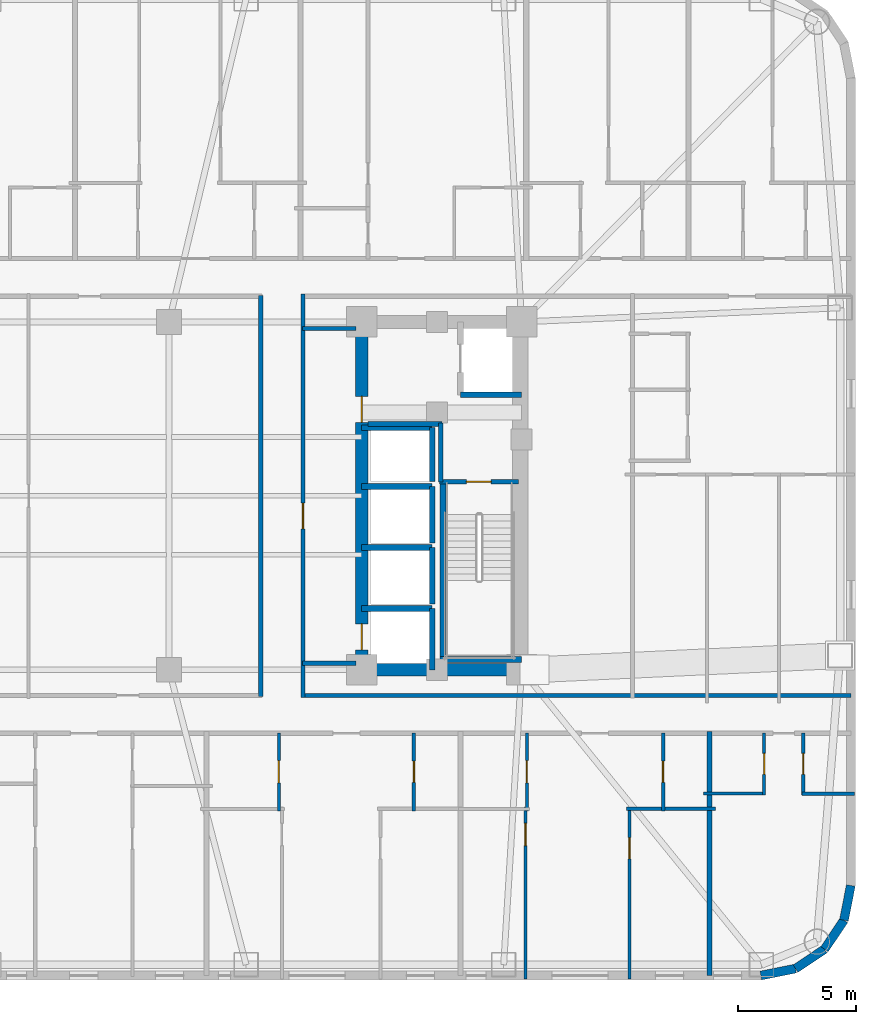
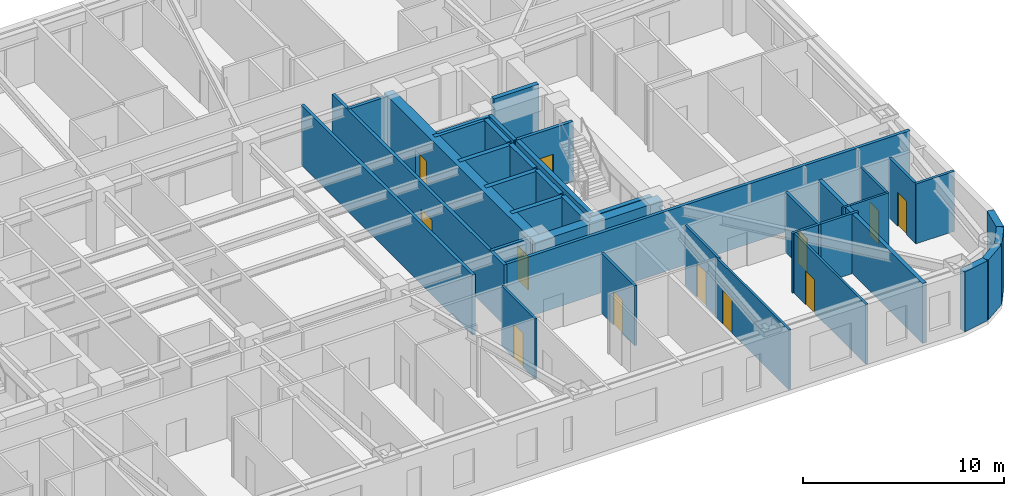
# One storey, part 6 of 11: 37 walls, 12 doors, 12 openings.
"""IFC4 building model written with IfcOpenShell, lengths in metres."""

from ifc_helpers import new_model, si_unit, direction, frame, frame_2d, origin, place, context, subcontext, project, spatial, rectangle, extrude, material, layer, layer_set, type_object, element, fill, save


model = new_model("IFC4")

# Units and contexts
model_context = context("Model", 3, precision=1e-05, world=origin(), true_north=direction((0.0, 1.0)))
body_context = subcontext(model_context, "Body", "Model", "MODEL_VIEW")
ifc_project = project(units=[si_unit("LENGTHUNIT", "METRE"), si_unit("AREAUNIT", "SQUARE_METRE"), si_unit("VOLUMEUNIT", "CUBIC_METRE"), si_unit("PLANEANGLEUNIT", "RADIAN"), si_unit("MASSUNIT", "GRAM", prefix="KILO")], contexts=[model_context])

# Site, building, storey
site_placement = place(None, origin())
site = spatial("IfcSite", under=ifc_project, at=site_placement, CompositionType="ELEMENT")
building_placement = place(site_placement, origin())
building = spatial("IfcBuilding", under=site, at=building_placement, Name="Voryun Gate Residences", CompositionType="ELEMENT")
storey_placement = place(building_placement, frame((0.0, 0.0, 105.300048828125)))
storey = spatial("IfcBuildingStorey", under=building, at=storey_placement, Name="L25", CompositionType="ELEMENT", Elevation=105.300048828125)

# Wall
ifc_material_1 = material(Name="Concrete C60/75", Category="concrete")
ifc_layer_1 = layer(ifc_material_1, 0.550048828125, Name="CW_CORE_550")
ifc_layer_set_1 = layer_set([ifc_layer_1], Name="Concrete C60/75")
wall_type_1 = type_object("IfcWallType", Name="CW_CORE_550", PredefinedType="SHEAR", material=ifc_layer_set_1)
wall_1_placement = place(storey_placement, frame((12.125, -7.39990234375, 0.0), z_axis=(0.0, 0.0, 1.0), x_axis=(1.0, 0.0, 0.0)))
element("IfcWall", 1, at=wall_1_placement, inside=storey, type_object=wall_type_1, Name="L25 Core shear wall CW-L25-ES", PredefinedType="SHEAR", context=body_context, shape_type="SweptSolid", body=[
    extrude(rectangle(XDim=7.35009765625, YDim=0.550048828125, at=frame_2d((3.675048828125, 0.0))), origin(), (0.0, 0.0, 1.0), 3.64990234375),
])

# Wall, openings, doors
wall_2_placement = place(storey_placement, frame((12.39990234375, -7.39990234375, 0.0), z_axis=(0.0, 0.0, 1.0), x_axis=(0.0, 1.0, 0.0)))
wall_2 = element("IfcWall", 2, at=wall_2_placement, inside=storey, type_object=wall_type_1, Name="L25 Core shear wall CW-L25-EW", PredefinedType="SHEAR", context=body_context, shape_type="SweptSolid", body=[
    extrude(rectangle(XDim=14.7998046875, YDim=0.550048828125, at=frame_2d((7.39990234375, 0.0))), origin(), (0.0, 0.0, 1.0), 3.64990234375),
])
opening_1_placement = place(wall_2_placement, frame((0.85009765625, 0.0, 0.0)))
opening_1 = element("IfcOpeningElement", 3, at=opening_1_placement, cuts=wall_2, Name="Opening LD2", PredefinedType="OPENING", context=body_context, shape_type="SweptSolid", body=[
    extrude(rectangle(XDim=1.10009765625, YDim=2.050048828125, at=frame_2d((0.550048828125, 1.02490234375))), frame((0.0, 0.284912109375, 0.0), z_axis=(0.0, -1.0, 0.0), x_axis=(1.0, 0.0, 0.0)), (0.0, 0.0, 1.0), 0.570068359375),
])
opening_2_placement = place(wall_2_placement, frame((10.530029296875, 0.0, 0.0)))
opening_2 = element("IfcOpeningElement", 4, at=opening_2_placement, cuts=wall_2, Name="Opening D-FD60-2", PredefinedType="OPENING", context=body_context, shape_type="SweptSolid", body=[
    extrude(rectangle(XDim=1.10009765625, YDim=2.050048828125, at=frame_2d((0.550048828125, 1.02490234375))), frame((0.0, 0.284912109375, 0.0), z_axis=(0.0, -1.0, 0.0), x_axis=(1.0, 0.0, 0.0)), (0.0, 0.0, 1.0), 0.570068359375),
])
ifc_material_2 = material(Name="Painted steel fire door", Category="steel")
door_type_1 = type_object("IfcDoorType", Name="DR_FD60_FFLOB_1100", OperationType="NOTDEFINED", PredefinedType="DOOR", material=ifc_material_2)
door_1_placement = place(opening_2_placement, origin())
door_1 = element("IfcDoor", 5, at=door_1_placement, inside=storey, type_object=door_type_1, Name="Door DR-L25-CLOB-E", OperationType="SINGLE_SWING_RIGHT", OverallHeight=2.050048828125, OverallWidth=1.10009765625, PredefinedType="DOOR", context=body_context, shape_type="SweptSolid", body=[
    extrude(rectangle(XDim=1.10009765625, YDim=2.050048828125, at=frame_2d((0.550048828125, 1.02490234375))), frame((0.0, 0.02490234375, 0.0), z_axis=(0.0, -1.0, 0.0), x_axis=(1.0, 0.0, 0.0)), (0.0, 0.0, 1.0), 0.050048828125),
])
fill(opening_2, door_1)
ifc_material_3 = material(Name="Anodised aluminium", Category="aluminium")
door_type_2 = type_object("IfcDoorType", Name="DR_LD_PASS_1100", OperationType="NOTDEFINED", PredefinedType="DOOR", material=ifc_material_3)
door_2_placement = place(opening_1_placement, origin())
door_2 = element("IfcDoor", 6, at=door_2_placement, inside=storey, type_object=door_type_2, Name="Lift EL-P3 sliding landing door L25", OperationType="SLIDING_TO_LEFT", OverallHeight=2.050048828125, OverallWidth=1.10009765625, PredefinedType="DOOR", context=body_context, shape_type="SweptSolid", body=[
    extrude(rectangle(XDim=1.10009765625, YDim=2.050048828125, at=frame_2d((0.550048828125, 1.02490234375))), frame((0.0, 0.02490234375, 0.0), z_axis=(0.0, -1.0, 0.0), x_axis=(1.0, 0.0, 0.0)), (0.0, 0.0, 1.0), 0.050048828125),
])
fill(opening_1, door_2)

# Wall, opening, door
ifc_material_4 = material(Name="Gypsum acoustic fireboard")
ifc_layer_2 = layer(ifc_material_4, 0.179931640625, Name="W_CORR_RATED_180")
ifc_layer_set_2 = layer_set([ifc_layer_2], Name="Gypsum acoustic fireboard")
wall_type_2 = type_object("IfcWallType", Name="W_CORR_RATED_180", PredefinedType="PARTITIONING", material=ifc_layer_set_2)
wall_3_placement = place(storey_placement, frame((15.699951171875, 0.60009765625, 0.0), z_axis=(0.0, 0.0, 1.0), x_axis=(1.0, 0.0, 0.0)))
wall_3 = element("IfcWall", 7, at=wall_3_placement, inside=storey, type_object=wall_type_2, Name="Partition wall WP-L25-STV-E", PredefinedType="PARTITIONING", context=body_context, shape_type="SweptSolid", body=[
    extrude(rectangle(XDim=3.360107421875, YDim=0.179931640625, at=frame_2d((1.68017578125, 0.0))), origin(), (0.0, 0.0, 1.0), 3.64990234375),
])
opening_3_placement = place(wall_3_placement, frame((1.155029296875, 0.0, 0.0)))
opening_3 = element("IfcOpeningElement", 8, at=opening_3_placement, cuts=wall_3, Name="Opening D-FD60-1", PredefinedType="OPENING", context=body_context, shape_type="SweptSolid", body=[
    extrude(rectangle(XDim=1.050048828125, YDim=2.050048828125, at=frame_2d((0.52490234375, 1.02490234375))), frame((0.0, 0.099853515625, 0.0), z_axis=(0.0, -1.0, 0.0), x_axis=(1.0, 0.0, 0.0)), (0.0, 0.0, 1.0), 0.199951171875),
])
ifc_material_5 = material(Name="Painted steel fire door", Category="steel")
door_type_3 = type_object("IfcDoorType", Name="DR_FD60_STAIR_1050", OperationType="NOTDEFINED", PredefinedType="DOOR", material=ifc_material_5)
door_3_placement = place(opening_3_placement, origin())
door_3 = element("IfcDoor", 9, at=door_3_placement, inside=storey, type_object=door_type_3, Name="Door DR-L25-ST-E", OperationType="SINGLE_SWING_RIGHT", OverallHeight=2.050048828125, OverallWidth=1.050048828125, PredefinedType="DOOR", context=body_context, shape_type="SweptSolid", body=[
    extrude(rectangle(XDim=1.050048828125, YDim=2.050048828125, at=frame_2d((0.52490234375, 1.02490234375))), frame((0.0, 0.02490234375, 0.0), z_axis=(0.0, -1.0, 0.0), x_axis=(1.0, 0.0, 0.0)), (0.0, 0.0, 1.0), 0.050048828125),
])
fill(opening_3, door_3)

# Walls
for number, where, z_axis, x_axis, name in (
    (10, (9.8798828125, 7.1201171875, 0.0), (0.0, 0.0, 1.0), (1.0, 0.0, 0.0), "Partition wall WP-L25-PLBN-E"),
    (11, (9.8798828125, -7.1201171875, 0.0), (0.0, 0.0, 1.0), (1.0, 0.0, 0.0), "Partition wall WP-L25-PLBS-E"),
):
    element("IfcWall", number, at=place(storey_placement, frame(where, z_axis=z_axis, x_axis=x_axis)), inside=storey, type_object=wall_type_2, Name=name, PredefinedType="PARTITIONING", context=body_context, shape_type="SweptSolid", body=[
        extrude(rectangle(XDim=2.27001953125, YDim=0.179931640625, at=frame_2d((1.135009765625, 0.0))), origin(), (0.0, 0.0, 1.0), 3.64990234375),
    ])

# Wall, opening, door
wall_4_placement = place(storey_placement, frame((9.89990234375, -8.580078125, 0.0), z_axis=(0.0, 0.0, 1.0), x_axis=(0.0, 1.0, 0.0)))
wall_4 = element("IfcWall", 12, at=wall_4_placement, inside=storey, type_object=wall_type_2, Name="Partition wall WP-L25-PLBE-FULL", PredefinedType="PARTITIONING", context=body_context, shape_type="SweptSolid", body=[
    extrude(rectangle(XDim=17.16015625, YDim=0.179931640625, at=frame_2d((8.580078125, 0.0))), origin(), (0.0, 0.0, 1.0), 3.64990234375),
])
opening_4_placement = place(wall_4_placement, frame((7.172119140625, 0.0, 0.0)))
opening_4 = element("IfcOpeningElement", 13, at=opening_4_placement, cuts=wall_4, Name="Opening D-FD60-2", PredefinedType="OPENING", context=body_context, shape_type="SweptSolid", body=[
    extrude(rectangle(XDim=1.10009765625, YDim=2.050048828125, at=frame_2d((0.550048828125, 1.02490234375))), frame((0.0, 0.099853515625, 0.0), z_axis=(0.0, -1.0, 0.0), x_axis=(1.0, 0.0, 0.0)), (0.0, 0.0, 1.0), 0.199951171875),
])
door_4_placement = place(opening_4_placement, origin())
door_4 = element("IfcDoor", 14, at=door_4_placement, inside=storey, type_object=door_type_1, Name="Door DR-L25-PLBE-COR", OperationType="SINGLE_SWING_RIGHT", OverallHeight=2.050048828125, OverallWidth=1.10009765625, PredefinedType="DOOR", context=body_context, shape_type="SweptSolid", body=[
    extrude(rectangle(XDim=1.10009765625, YDim=2.050048828125, at=frame_2d((0.550048828125, 1.02490234375))), frame((0.0, 0.02490234375, 0.0), z_axis=(0.0, -1.0, 0.0), x_axis=(1.0, 0.0, 0.0)), (0.0, 0.0, 1.0), 0.050048828125),
])
fill(opening_4, door_4)

# Walls
wall_5_placement = place(storey_placement, frame((9.8798828125, -8.489990234375, 0.0), z_axis=(0.0, 0.0, 1.0), x_axis=(1.0, 0.0, 0.0)))
element("IfcWall", 15, at=wall_5_placement, inside=storey, type_object=wall_type_2, Name="Partition wall WP-L25-CWING-ES", PredefinedType="PARTITIONING", context=body_context, shape_type="SweptSolid", body=[
    extrude(rectangle(XDim=23.330078125, YDim=0.179931640625, at=frame_2d((11.6650390625, 0.0))), origin(), (0.0, 0.0, 1.0), 3.64990234375),
])
wall_6_placement = place(storey_placement, frame((8.10009765625, -8.530029296875, 0.0), z_axis=(0.0, 0.0, 1.0), x_axis=(0.0, 1.0, 0.0)))
element("IfcWall", 16, at=wall_6_placement, inside=storey, type_object=wall_type_2, Name="Partition wall WP-L25-Z1E", PredefinedType="PARTITIONING", context=body_context, shape_type="SweptSolid", body=[
    extrude(rectangle(XDim=17.06005859375, YDim=0.179931640625, at=frame_2d((8.530029296875, 0.0))), origin(), (0.0, 0.0, 1.0), 3.64990234375),
])
ifc_material_6 = material(Name="Granite masonry", Category="masonry")
ifc_layer_3 = layer(ifc_material_6, 0.3798828125, Name="W_EXT_GRANITE_380")
ifc_layer_set_3 = layer_set([ifc_layer_3], Name="Granite masonry")
wall_type_3 = type_object("IfcWallType", Name="W_EXT_GRANITE_380", PredefinedType="ELEMENTEDWALL", material=ifc_layer_set_3)
wall_7_placement = place(storey_placement, frame((33.2099609375, -16.581298828125, 0.0), z_axis=(0.0, 0.0, 1.0), x_axis=(-0.195086038585, -0.980786132421, 0.0)))
element("IfcWall", 17, at=wall_7_placement, inside=storey, type_object=wall_type_3, Name="Exterior wall WEXT-L25-17", PredefinedType="ELEMENTEDWALL", context=body_context, shape_type="SweptSolid", body=[
    extrude(rectangle(XDim=1.504150390625, YDim=0.3798828125, at=frame_2d((0.751953125, 0.0))), origin(), (0.0, 0.0, 1.0), 3.64990234375),
])
wall_8_placement = place(storey_placement, frame((32.91650390625, -18.056640625, 0.0), z_axis=(0.0, 0.0, 1.0), x_axis=(-0.555610286119, -0.831442848281, 0.0)))
element("IfcWall", 18, at=wall_8_placement, inside=storey, type_object=wall_type_3, Name="Exterior wall WEXT-L25-18", PredefinedType="ELEMENTEDWALL", context=body_context, shape_type="SweptSolid", body=[
    extrude(rectangle(XDim=1.485107421875, YDim=0.3798828125, at=frame_2d((0.74267578125, 0.0))), origin(), (0.0, 0.0, 1.0), 3.64990234375),
])
wall_9_placement = place(storey_placement, frame((32.09130859375, -19.29150390625, 0.0), z_axis=(0.0, 0.0, 1.0), x_axis=(-0.831468045563, -0.555572577804, 0.0)))
element("IfcWall", 19, at=wall_9_placement, inside=storey, type_object=wall_type_3, Name="Exterior wall WEXT-L25-19", PredefinedType="ELEMENTEDWALL", context=body_context, shape_type="SweptSolid", body=[
    extrude(rectangle(XDim=1.48486328125, YDim=0.3798828125, at=frame_2d((0.742431640625, 0.0))), origin(), (0.0, 0.0, 1.0), 3.64990234375),
])
wall_10_placement = place(storey_placement, frame((30.856689453125, -20.116455078125, 0.0), z_axis=(0.0, 0.0, 1.0), x_axis=(-0.980786132421, -0.195086038585, 0.0)))
element("IfcWall", 20, at=wall_10_placement, inside=storey, type_object=wall_type_3, Name="Exterior wall WEXT-L25-20", PredefinedType="ELEMENTEDWALL", context=body_context, shape_type="SweptSolid", body=[
    extrude(rectangle(XDim=1.504150390625, YDim=0.3798828125, at=frame_2d((0.751953125, 0.0))), origin(), (0.0, 0.0, 1.0), 3.64990234375),
])
ifc_material_7 = material(Name="Concrete C40/50", Category="concrete")
ifc_layer_4 = layer(ifc_material_7, 0.199951171875, Name="W_FF_LOBBY_200")
ifc_layer_set_4 = layer_set([ifc_layer_4], Name="Concrete C40/50")
wall_type_4 = type_object("IfcWallType", Name="W_FF_LOBBY_200", PredefinedType="PARTITIONING", material=ifc_layer_set_4)
wall_11_placement = place(storey_placement, frame((15.760009765625, 0.580078125, 0.0), z_axis=(0.0, 0.0, 1.0), x_axis=(0.0, 1.0, 0.0)))
element("IfcWall", 21, at=wall_11_placement, inside=storey, type_object=wall_type_4, Name="Partition wall WP-L25-FFP0-E", PredefinedType="PARTITIONING", context=body_context, shape_type="SweptSolid", body=[
    extrude(rectangle(XDim=2.52001953125, YDim=0.199951171875, at=frame_2d((1.260009765625, 0.0))), origin(), (0.0, 0.0, 1.0), 3.64990234375),
])
wall_12_placement = place(storey_placement, frame((12.659912109375, 3.06005859375, 0.0), z_axis=(0.0, 0.0, 1.0), x_axis=(1.0, 0.0, 0.0)))
element("IfcWall", 22, at=wall_12_placement, inside=storey, type_object=wall_type_4, Name="Partition wall WP-L25-FFPS-E", PredefinedType="PARTITIONING", context=body_context, shape_type="SweptSolid", body=[
    extrude(rectangle(XDim=3.16015625, YDim=0.199951171875, at=frame_2d((1.580078125, 0.0))), origin(), (0.0, 0.0, 1.0), 3.64990234375),
])
ifc_material_8 = material(Name="Concrete C40/50", Category="concrete")
ifc_layer_5 = layer(ifc_material_8, 0.219970703125, Name="W_PARTY_ACOUSTIC_220")
ifc_layer_set_5 = layer_set([ifc_layer_5], Name="Concrete C40/50")
wall_type_5 = type_object("IfcWallType", Name="W_PARTY_ACOUSTIC_220", PredefinedType="PARTITIONING", material=ifc_layer_set_5)
wall_13_placement = place(storey_placement, frame((27.199951171875, -20.409912109375, 0.0), z_axis=(0.0, 0.0, 1.0), x_axis=(0.0, 1.0, 0.0)))
element("IfcWall", 23, at=wall_13_placement, inside=storey, type_object=wall_type_5, Name="Partition wall WP-L25-SPTY-6", PredefinedType="PARTITIONING", context=body_context, shape_type="SweptSolid", body=[
    extrude(rectangle(XDim=10.389892578125, YDim=0.219970703125, at=frame_2d((5.19482421875, 0.0))), origin(), (0.0, 0.0, 1.0), 3.64990234375),
])
ifc_material_9 = material(Name="Concrete C50/60", Category="concrete")
ifc_layer_6 = layer(ifc_material_9, 0.25, Name="W_SHAFT_RC250")
ifc_layer_set_6 = layer_set([ifc_layer_6], Name="Concrete C50/60")
wall_type_6 = type_object("IfcWallType", Name="W_SHAFT_RC250", PredefinedType="SOLIDWALL", material=ifc_layer_set_6)
wall_14_placement = place(storey_placement, frame((15.860107421875, -7.0849609375, 0.0), z_axis=(0.0, 0.0, 1.0), x_axis=(0.0, 1.0, 0.0)))
element("IfcWall", 24, at=wall_14_placement, inside=storey, type_object=wall_type_6, Name="L25 Stair shaft structural wall E-STL", PredefinedType="SOLIDWALL", context=body_context, shape_type="SweptSolid", body=[
    extrude(rectangle(XDim=7.68505859375, YDim=0.25, at=frame_2d((3.842529296875, 0.0))), origin(), (0.0, 0.0, 1.0), 3.64990234375),
])
wall_15_placement = place(storey_placement, frame((15.739990234375, -6.965087890625, 0.0), z_axis=(0.0, 0.0, 1.0), x_axis=(1.0, 0.0, 0.0)))
element("IfcWall", 25, at=wall_15_placement, inside=storey, type_object=wall_type_6, Name="L25 Stair shaft structural wall E-STS", PredefinedType="SOLIDWALL", context=body_context, shape_type="SweptSolid", body=[
    extrude(rectangle(XDim=3.4599609375, YDim=0.25, at=frame_2d((1.72998046875, 0.0))), origin(), (0.0, 0.0, 1.0), 3.64990234375),
])
for number, where, z_axis, x_axis, name in (
    (26, (16.60009765625, 4.300048828125, 0.0), (0.0, 0.0, 1.0), (1.0, 0.0, 0.0), "Lift shaft wall WSH-L25-EL-FF-E1-S"),
    (27, (15.39990234375, -7.39990234375, 0.0), (0.0, 0.0, 1.0), (0.0, 1.0, 0.0), "Lift shaft wall WSH-L25-EL-P3-E"),
):
    element("IfcWall", number, at=place(storey_placement, frame(where, z_axis=z_axis, x_axis=x_axis)), inside=storey, type_object=wall_type_6, Name=name, PredefinedType="SOLIDWALL", context=body_context, shape_type="SweptSolid", body=[
        extrude(rectangle(XDim=2.599853515625, YDim=0.25, at=frame_2d((1.2998046875, 0.0))), origin(), (0.0, 0.0, 1.0), 3.64990234375),
    ])
wall_16_placement = place(storey_placement, frame((15.39990234375, -4.800048828125, 0.0), z_axis=(0.0, 0.0, 1.0), x_axis=(-1.0, 0.0, 0.0)))
element("IfcWall", 28, at=wall_16_placement, inside=storey, type_object=wall_type_6, Name="Lift shaft wall WSH-L25-EL-P3-N", PredefinedType="SOLIDWALL", context=body_context, shape_type="SweptSolid", body=[
    extrude(rectangle(XDim=3.0, YDim=0.25, at=frame_2d((1.5, 0.0))), origin(), (0.0, 0.0, 1.0), 3.64990234375),
])
wall_17_placement = place(storey_placement, frame((15.39990234375, -4.60009765625, 0.0), z_axis=(0.0, 0.0, 1.0), x_axis=(0.0, 1.0, 0.0)))
element("IfcWall", 29, at=wall_17_placement, inside=storey, type_object=wall_type_6, Name="Lift shaft wall WSH-L25-EL-P5-E", PredefinedType="SOLIDWALL", context=body_context, shape_type="SweptSolid", body=[
    extrude(rectangle(XDim=2.400146484375, YDim=0.25, at=frame_2d((1.2001953125, 0.0))), origin(), (0.0, 0.0, 1.0), 3.64990234375),
])
wall_18_placement = place(storey_placement, frame((15.39990234375, -2.199951171875, 0.0), z_axis=(0.0, 0.0, 1.0), x_axis=(-1.0, 0.0, 0.0)))
element("IfcWall", 30, at=wall_18_placement, inside=storey, type_object=wall_type_6, Name="Lift shaft wall WSH-L25-EL-P5-N", PredefinedType="SOLIDWALL", context=body_context, shape_type="SweptSolid", body=[
    extrude(rectangle(XDim=3.0, YDim=0.25, at=frame_2d((1.5, 0.0))), origin(), (0.0, 0.0, 1.0), 3.64990234375),
])
wall_19_placement = place(storey_placement, frame((15.39990234375, -2.0, 0.0), z_axis=(0.0, 0.0, 1.0), x_axis=(0.0, 1.0, 0.0)))
element("IfcWall", 31, at=wall_19_placement, inside=storey, type_object=wall_type_6, Name="Lift shaft wall WSH-L25-EL-P6-E", PredefinedType="SOLIDWALL", context=body_context, shape_type="SweptSolid", body=[
    extrude(rectangle(XDim=2.39990234375, YDim=0.25, at=frame_2d((1.199951171875, 0.0))), origin(), (0.0, 0.0, 1.0), 3.64990234375),
])
wall_20_placement = place(storey_placement, frame((15.39990234375, 0.39990234375, 0.0), z_axis=(0.0, 0.0, 1.0), x_axis=(-1.0, 0.0, 0.0)))
element("IfcWall", 32, at=wall_20_placement, inside=storey, type_object=wall_type_6, Name="Lift shaft wall WSH-L25-EL-P6-N", PredefinedType="SOLIDWALL", context=body_context, shape_type="SweptSolid", body=[
    extrude(rectangle(XDim=3.0, YDim=0.25, at=frame_2d((1.5, 0.0))), origin(), (0.0, 0.0, 1.0), 3.64990234375),
])
wall_21_placement = place(storey_placement, frame((15.39990234375, 0.60009765625, 0.0), z_axis=(0.0, 0.0, 1.0), x_axis=(0.0, 1.0, 0.0)))
element("IfcWall", 33, at=wall_21_placement, inside=storey, type_object=wall_type_6, Name="Lift shaft wall WSH-L25-EL-P8-E", PredefinedType="SOLIDWALL", context=body_context, shape_type="SweptSolid", body=[
    extrude(rectangle(XDim=2.2998046875, YDim=0.25, at=frame_2d((1.14990234375, 0.0))), origin(), (0.0, 0.0, 1.0), 3.64990234375),
])
wall_22_placement = place(storey_placement, frame((15.39990234375, 2.89990234375, 0.0), z_axis=(0.0, 0.0, 1.0), x_axis=(-1.0, 0.0, 0.0)))
element("IfcWall", 34, at=wall_22_placement, inside=storey, type_object=wall_type_6, Name="Lift shaft wall WSH-L25-EL-P8-N", PredefinedType="SOLIDWALL", context=body_context, shape_type="SweptSolid", body=[
    extrude(rectangle(XDim=3.0, YDim=0.25, at=frame_2d((1.5, 0.0))), origin(), (0.0, 0.0, 1.0), 3.64990234375),
])

# Wall, opening, door
ifc_material_10 = material(Name="Gypsum acoustic partition")
ifc_layer_7 = layer(ifc_material_10, 0.125, Name="W_UNIT_PART_125")
ifc_layer_set_7 = layer_set([ifc_layer_7], Name="Gypsum acoustic partition")
wall_type_7 = type_object("IfcWallType", Name="W_UNIT_PART_125", PredefinedType="PARTITIONING", material=ifc_layer_set_7)
wall_23_placement = place(storey_placement, frame((8.8720703125, -13.39990234375, 0.0), z_axis=(0.0, 0.0, 1.0), x_axis=(0.0, 1.0, 0.0)))
wall_23 = element("IfcWall", 35, at=wall_23_placement, inside=storey, type_object=wall_type_7, Name="Partition wall WP-L25-S5-IVK", PredefinedType="PARTITIONING", context=body_context, shape_type="SweptSolid", body=[
    extrude(rectangle(XDim=3.31982421875, YDim=0.125, at=frame_2d((1.659912109375, 0.0))), origin(), (0.0, 0.0, 1.0), 3.64990234375),
])
opening_5_placement = place(wall_23_placement, frame((1.18505859375, 0.0, 0.0)))
opening_5 = element("IfcOpeningElement", 36, at=opening_5_placement, cuts=wall_23, Name="Opening D-INT-1", PredefinedType="OPENING", context=body_context, shape_type="SweptSolid", body=[
    extrude(rectangle(XDim=0.949951171875, YDim=2.050048828125, at=frame_2d((0.47509765625, 1.02490234375))), frame((0.0, 0.072509765625, 0.0), z_axis=(0.0, -1.0, 0.0), x_axis=(1.0, 0.0, 0.0)), (0.0, 0.0, 1.0), 0.14501953125),
])
ifc_material_11 = material(Name="Architectural oak veneer")
door_type_4 = type_object("IfcDoorType", Name="DR_INT_ROOM_950", OperationType="NOTDEFINED", PredefinedType="DOOR", material=ifc_material_11)
door_5_placement = place(opening_5_placement, origin())
door_5 = element("IfcDoor", 37, at=door_5_placement, inside=storey, type_object=door_type_4, Name="Door DR-L25-S5-DK", OperationType="SINGLE_SWING_LEFT", OverallHeight=2.050048828125, OverallWidth=0.949951171875, PredefinedType="DOOR", context=body_context, shape_type="SweptSolid", body=[
    extrude(rectangle(XDim=0.949951171875, YDim=2.050048828125, at=frame_2d((0.47509765625, 1.02490234375))), frame((0.0, 0.02490234375, 0.0), z_axis=(0.0, -1.0, 0.0), x_axis=(1.0, 0.0, 0.0)), (0.0, 0.0, 1.0), 0.050048828125),
])
fill(opening_5, door_5)

wall_24_placement = place(storey_placement, frame((19.364013671875, -20.56005859375, 0.0), z_axis=(0.0, 0.0, 1.0), x_axis=(0.0, 1.0, 0.0)))
wall_24 = element("IfcWall", 38, at=wall_24_placement, inside=storey, type_object=wall_type_7, Name="Partition wall WP-L25-S6-OVL", PredefinedType="PARTITIONING", context=body_context, shape_type="SweptSolid", body=[
    extrude(rectangle(XDim=7.320068359375, YDim=0.125, at=frame_2d((3.66015625, 0.0))), origin(), (0.0, 0.0, 1.0), 3.64990234375),
])
opening_6_placement = place(wall_24_placement, frame((5.673828125, 0.0, 0.0)))
opening_6 = element("IfcOpeningElement", 39, at=opening_6_placement, cuts=wall_24, Name="Opening D-INT-1", PredefinedType="OPENING", context=body_context, shape_type="SweptSolid", body=[
    extrude(rectangle(XDim=0.949951171875, YDim=2.050048828125, at=frame_2d((0.47509765625, 1.02490234375))), frame((0.0, 0.072509765625, 0.0), z_axis=(0.0, -1.0, 0.0), x_axis=(1.0, 0.0, 0.0)), (0.0, 0.0, 1.0), 0.14501953125),
])
door_6_placement = place(opening_6_placement, origin())
door_6 = element("IfcDoor", 40, at=door_6_placement, inside=storey, type_object=door_type_4, Name="Door DR-L25-S6-DB2", OperationType="SINGLE_SWING_LEFT", OverallHeight=2.050048828125, OverallWidth=0.949951171875, PredefinedType="DOOR", context=body_context, shape_type="SweptSolid", body=[
    extrude(rectangle(XDim=0.949951171875, YDim=2.050048828125, at=frame_2d((0.47509765625, 1.02490234375))), frame((0.0, 0.02490234375, 0.0), z_axis=(0.0, -1.0, 0.0), x_axis=(1.0, 0.0, 0.0)), (0.0, 0.0, 1.0), 0.050048828125),
])
fill(opening_6, door_6)

wall_25_placement = place(storey_placement, frame((23.7900390625, -20.56005859375, 0.0), z_axis=(0.0, 0.0, 1.0), x_axis=(0.0, 1.0, 0.0)))
wall_25 = element("IfcWall", 41, at=wall_25_placement, inside=storey, type_object=wall_type_7, Name="Partition wall WP-L25-S6-OVR", PredefinedType="PARTITIONING", context=body_context, shape_type="SweptSolid", body=[
    extrude(rectangle(XDim=7.320068359375, YDim=0.125, at=frame_2d((3.66015625, 0.0))), origin(), (0.0, 0.0, 1.0), 3.64990234375),
])
opening_7_placement = place(wall_25_placement, frame((5.11328125, 0.0, 0.0)))
opening_7 = element("IfcOpeningElement", 42, at=opening_7_placement, cuts=wall_25, Name="Opening D-INT-2", PredefinedType="OPENING", context=body_context, shape_type="SweptSolid", body=[
    extrude(rectangle(XDim=0.89990234375, YDim=2.050048828125, at=frame_2d((0.449951171875, 1.02490234375))), frame((0.0, 0.072509765625, 0.0), z_axis=(0.0, -1.0, 0.0), x_axis=(1.0, 0.0, 0.0)), (0.0, 0.0, 1.0), 0.14501953125),
])
ifc_material_12 = material(Name="Architectural oak veneer")
door_type_5 = type_object("IfcDoorType", Name="DR_INT_BATH_900", OperationType="NOTDEFINED", PredefinedType="DOOR", material=ifc_material_12)
door_7_placement = place(opening_7_placement, origin())
door_7 = element("IfcDoor", 43, at=door_7_placement, inside=storey, type_object=door_type_5, Name="Door DR-L25-S6-DMB", OperationType="SINGLE_SWING_RIGHT", OverallHeight=2.050048828125, OverallWidth=0.89990234375, PredefinedType="DOOR", context=body_context, shape_type="SweptSolid", body=[
    extrude(rectangle(XDim=0.89990234375, YDim=2.050048828125, at=frame_2d((0.449951171875, 1.02490234375))), frame((0.0, 0.02490234375, 0.0), z_axis=(0.0, -1.0, 0.0), x_axis=(1.0, 0.0, 0.0)), (0.0, 0.0, 1.0), 0.050048828125),
])
fill(opening_7, door_7)

wall_26_placement = place(storey_placement, frame((19.427001953125, -13.39990234375, 0.0), z_axis=(0.0, 0.0, 1.0), x_axis=(0.0, 1.0, 0.0)))
wall_26 = element("IfcWall", 44, at=wall_26_placement, inside=storey, type_object=wall_type_7, Name="Partition wall WP-L25-S6-IVK", PredefinedType="PARTITIONING", context=body_context, shape_type="SweptSolid", body=[
    extrude(rectangle(XDim=3.31982421875, YDim=0.125, at=frame_2d((1.659912109375, 0.0))), origin(), (0.0, 0.0, 1.0), 3.64990234375),
])
opening_8_placement = place(wall_26_placement, frame((1.18505859375, 0.0, 0.0)))
opening_8 = element("IfcOpeningElement", 45, at=opening_8_placement, cuts=wall_26, Name="Opening D-INT-1", PredefinedType="OPENING", context=body_context, shape_type="SweptSolid", body=[
    extrude(rectangle(XDim=0.949951171875, YDim=2.050048828125, at=frame_2d((0.47509765625, 1.02490234375))), frame((0.0, 0.072509765625, 0.0), z_axis=(0.0, -1.0, 0.0), x_axis=(1.0, 0.0, 0.0)), (0.0, 0.0, 1.0), 0.14501953125),
])
door_8_placement = place(opening_8_placement, origin())
door_8 = element("IfcDoor", 46, at=door_8_placement, inside=storey, type_object=door_type_4, Name="Door DR-L25-S6-DK", OperationType="SINGLE_SWING_LEFT", OverallHeight=2.050048828125, OverallWidth=0.949951171875, PredefinedType="DOOR", context=body_context, shape_type="SweptSolid", body=[
    extrude(rectangle(XDim=0.949951171875, YDim=2.050048828125, at=frame_2d((0.47509765625, 1.02490234375))), frame((0.0, 0.02490234375, 0.0), z_axis=(0.0, -1.0, 0.0), x_axis=(1.0, 0.0, 0.0)), (0.0, 0.0, 1.0), 0.050048828125),
])
fill(opening_8, door_8)

wall_27_placement = place(storey_placement, frame((29.52392578125, -12.72998046875, 0.0), z_axis=(0.0, 0.0, 1.0), x_axis=(0.0, 1.0, 0.0)))
wall_27 = element("IfcWall", 47, at=wall_27_placement, inside=storey, type_object=wall_type_7, Name="Partition wall WP-L25-S7-CVK", PredefinedType="PARTITIONING", context=body_context, shape_type="SweptSolid", body=[
    extrude(rectangle(XDim=2.64990234375, YDim=0.125, at=frame_2d((1.324951171875, 0.0))), origin(), (0.0, 0.0, 1.0), 3.64990234375),
])
opening_9_placement = place(wall_27_placement, frame((0.875, 0.0, 0.0)))
opening_9 = element("IfcOpeningElement", 48, at=opening_9_placement, cuts=wall_27, Name="Opening D-INT-2", PredefinedType="OPENING", context=body_context, shape_type="SweptSolid", body=[
    extrude(rectangle(XDim=0.89990234375, YDim=2.050048828125, at=frame_2d((0.449951171875, 1.02490234375))), frame((0.0, 0.072509765625, 0.0), z_axis=(0.0, -1.0, 0.0), x_axis=(1.0, 0.0, 0.0)), (0.0, 0.0, 1.0), 0.14501953125),
])
door_9_placement = place(opening_9_placement, origin())
door_9 = element("IfcDoor", 49, at=door_9_placement, inside=storey, type_object=door_type_5, Name="Door DR-L25-S7-DK", OperationType="SINGLE_SWING_LEFT", OverallHeight=2.050048828125, OverallWidth=0.89990234375, PredefinedType="DOOR", context=body_context, shape_type="SweptSolid", body=[
    extrude(rectangle(XDim=0.89990234375, YDim=2.050048828125, at=frame_2d((0.449951171875, 1.02490234375))), frame((0.0, 0.02490234375, 0.0), z_axis=(0.0, -1.0, 0.0), x_axis=(1.0, 0.0, 0.0)), (0.0, 0.0, 1.0), 0.050048828125),
])
fill(opening_9, door_9)

# Wall
wall_28_placement = place(storey_placement, frame((26.93994140625, -12.669921875, 0.0), z_axis=(0.0, 0.0, 1.0), x_axis=(1.0, 0.0, 0.0)))
element("IfcWall", 50, at=wall_28_placement, inside=storey, type_object=wall_type_7, Name="Partition wall WP-L25-S7-CHK", PredefinedType="PARTITIONING", context=body_context, shape_type="SweptSolid", body=[
    extrude(rectangle(XDim=2.64404296875, YDim=0.125, at=frame_2d((1.322021484375, 0.0))), origin(), (0.0, 0.0, 1.0), 3.64990234375),
])

# Wall, opening, door
ifc_material_13 = material(Name="Gypsum moisture-resistant partition")
ifc_layer_8 = layer(ifc_material_13, 0.14990234375, Name="W_WET_PLUMB_150")
ifc_layer_set_8 = layer_set([ifc_layer_8], Name="Gypsum moisture-resistant partition")
wall_type_8 = type_object("IfcWallType", Name="W_WET_PLUMB_150", PredefinedType="PLUMBINGWALL", material=ifc_layer_set_8)
wall_29_placement = place(storey_placement, frame((14.6201171875, -13.39990234375, 0.0), z_axis=(0.0, 0.0, 1.0), x_axis=(0.0, 1.0, 0.0)))
wall_29 = element("IfcWall", 51, at=wall_29_placement, inside=storey, type_object=wall_type_8, Name="Partition wall WP-L25-S5-IVB", PredefinedType="PLUMBINGWALL", context=body_context, shape_type="SweptSolid", body=[
    extrude(rectangle(XDim=3.31982421875, YDim=0.14990234375, at=frame_2d((1.659912109375, 0.0))), origin(), (0.0, 0.0, 1.0), 3.64990234375),
])
opening_10_placement = place(wall_29_placement, frame((1.2099609375, 0.0, 0.0)))
opening_10 = element("IfcOpeningElement", 52, at=opening_10_placement, cuts=wall_29, Name="Opening D-INT-2", PredefinedType="OPENING", context=body_context, shape_type="SweptSolid", body=[
    extrude(rectangle(XDim=0.89990234375, YDim=2.050048828125, at=frame_2d((0.449951171875, 1.02490234375))), frame((0.0, 0.0849609375, 0.0), z_axis=(0.0, -1.0, 0.0), x_axis=(1.0, 0.0, 0.0)), (0.0, 0.0, 1.0), 0.169921875),
])
door_10_placement = place(opening_10_placement, origin())
door_10 = element("IfcDoor", 53, at=door_10_placement, inside=storey, type_object=door_type_5, Name="Door DR-L25-S5-DB", OperationType="SINGLE_SWING_RIGHT", OverallHeight=2.050048828125, OverallWidth=0.89990234375, PredefinedType="DOOR", context=body_context, shape_type="SweptSolid", body=[
    extrude(rectangle(XDim=0.89990234375, YDim=2.050048828125, at=frame_2d((0.449951171875, 1.02490234375))), frame((0.0, 0.02490234375, 0.0), z_axis=(0.0, -1.0, 0.0), x_axis=(1.0, 0.0, 0.0)), (0.0, 0.0, 1.0), 0.050048828125),
])
fill(opening_10, door_10)

# Wall
wall_30_placement = place(storey_placement, frame((23.669921875, -13.320068359375, 0.0), z_axis=(0.0, 0.0, 1.0), x_axis=(1.0, 0.0, 0.0)))
element("IfcWall", 54, at=wall_30_placement, inside=storey, type_object=wall_type_8, Name="Partition wall WP-L25-S6-HZB", PredefinedType="PLUMBINGWALL", context=body_context, shape_type="SweptSolid", body=[
    extrude(rectangle(XDim=3.7900390625, YDim=0.14990234375, at=frame_2d((1.89501953125, 0.0))), origin(), (0.0, 0.0, 1.0), 3.64990234375),
])

# Wall, opening, door
wall_31_placement = place(storey_placement, frame((25.219970703125, -13.39990234375, 0.0), z_axis=(0.0, 0.0, 1.0), x_axis=(0.0, 1.0, 0.0)))
wall_31 = element("IfcWall", 55, at=wall_31_placement, inside=storey, type_object=wall_type_8, Name="Partition wall WP-L25-S6-IVB", PredefinedType="PLUMBINGWALL", context=body_context, shape_type="SweptSolid", body=[
    extrude(rectangle(XDim=3.31982421875, YDim=0.14990234375, at=frame_2d((1.659912109375, 0.0))), origin(), (0.0, 0.0, 1.0), 3.64990234375),
])
opening_11_placement = place(wall_31_placement, frame((1.2099609375, 0.0, 0.0)))
opening_11 = element("IfcOpeningElement", 56, at=opening_11_placement, cuts=wall_31, Name="Opening D-INT-2", PredefinedType="OPENING", context=body_context, shape_type="SweptSolid", body=[
    extrude(rectangle(XDim=0.89990234375, YDim=2.050048828125, at=frame_2d((0.449951171875, 1.02490234375))), frame((0.0, 0.0849609375, 0.0), z_axis=(0.0, -1.0, 0.0), x_axis=(1.0, 0.0, 0.0)), (0.0, 0.0, 1.0), 0.169921875),
])
door_11_placement = place(opening_11_placement, origin())
door_11 = element("IfcDoor", 57, at=door_11_placement, inside=storey, type_object=door_type_5, Name="Door DR-L25-S6-DB", OperationType="SINGLE_SWING_RIGHT", OverallHeight=2.050048828125, OverallWidth=0.89990234375, PredefinedType="DOOR", context=body_context, shape_type="SweptSolid", body=[
    extrude(rectangle(XDim=0.89990234375, YDim=2.050048828125, at=frame_2d((0.449951171875, 1.02490234375))), frame((0.0, 0.02490234375, 0.0), z_axis=(0.0, -1.0, 0.0), x_axis=(1.0, 0.0, 0.0)), (0.0, 0.0, 1.0), 0.050048828125),
])
fill(opening_11, door_11)

wall_32_placement = place(storey_placement, frame((31.19189453125, -12.72998046875, 0.0), z_axis=(0.0, 0.0, 1.0), x_axis=(0.0, 1.0, 0.0)))
wall_32 = element("IfcWall", 58, at=wall_32_placement, inside=storey, type_object=wall_type_8, Name="Partition wall WP-L25-S7-CVB", PredefinedType="PLUMBINGWALL", context=body_context, shape_type="SweptSolid", body=[
    extrude(rectangle(XDim=2.64990234375, YDim=0.14990234375, at=frame_2d((1.324951171875, 0.0))), origin(), (0.0, 0.0, 1.0), 3.64990234375),
])
opening_12_placement = place(wall_32_placement, frame((0.875, 0.0, 0.0)))
opening_12 = element("IfcOpeningElement", 59, at=opening_12_placement, cuts=wall_32, Name="Opening D-INT-2", PredefinedType="OPENING", context=body_context, shape_type="SweptSolid", body=[
    extrude(rectangle(XDim=0.89990234375, YDim=2.050048828125, at=frame_2d((0.449951171875, 1.02490234375))), frame((0.0, 0.0849609375, 0.0), z_axis=(0.0, -1.0, 0.0), x_axis=(1.0, 0.0, 0.0)), (0.0, 0.0, 1.0), 0.169921875),
])
door_12_placement = place(opening_12_placement, origin())
door_12 = element("IfcDoor", 60, at=door_12_placement, inside=storey, type_object=door_type_5, Name="Door DR-L25-S7-DB", OperationType="SINGLE_SWING_RIGHT", OverallHeight=2.050048828125, OverallWidth=0.89990234375, PredefinedType="DOOR", context=body_context, shape_type="SweptSolid", body=[
    extrude(rectangle(XDim=0.89990234375, YDim=2.050048828125, at=frame_2d((0.449951171875, 1.02490234375))), frame((0.0, 0.02490234375, 0.0), z_axis=(0.0, -1.0, 0.0), x_axis=(1.0, 0.0, 0.0)), (0.0, 0.0, 1.0), 0.050048828125),
])
fill(opening_12, door_12)

# Wall
wall_33_placement = place(storey_placement, frame((31.132080078125, -12.669921875, 0.0), z_axis=(0.0, 0.0, 1.0), x_axis=(1.0, 0.0, 0.0)))
element("IfcWall", 61, at=wall_33_placement, inside=storey, type_object=wall_type_8, Name="Partition wall WP-L25-S7-CHB", PredefinedType="PLUMBINGWALL", context=body_context, shape_type="SweptSolid", body=[
    extrude(rectangle(XDim=2.22802734375, YDim=0.14990234375, at=frame_2d((1.114013671875, 0.0))), origin(), (0.0, 0.0, 1.0), 3.64990234375),
])

save(model, "model.ifc")
